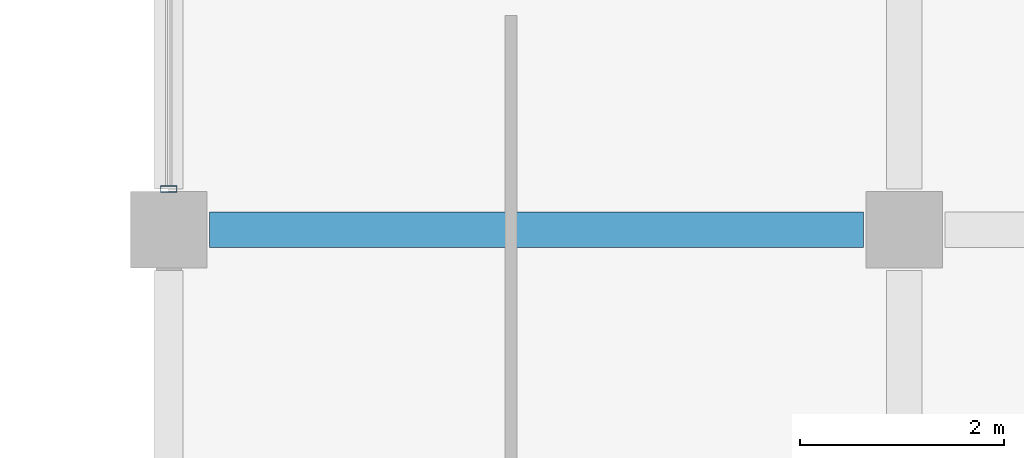
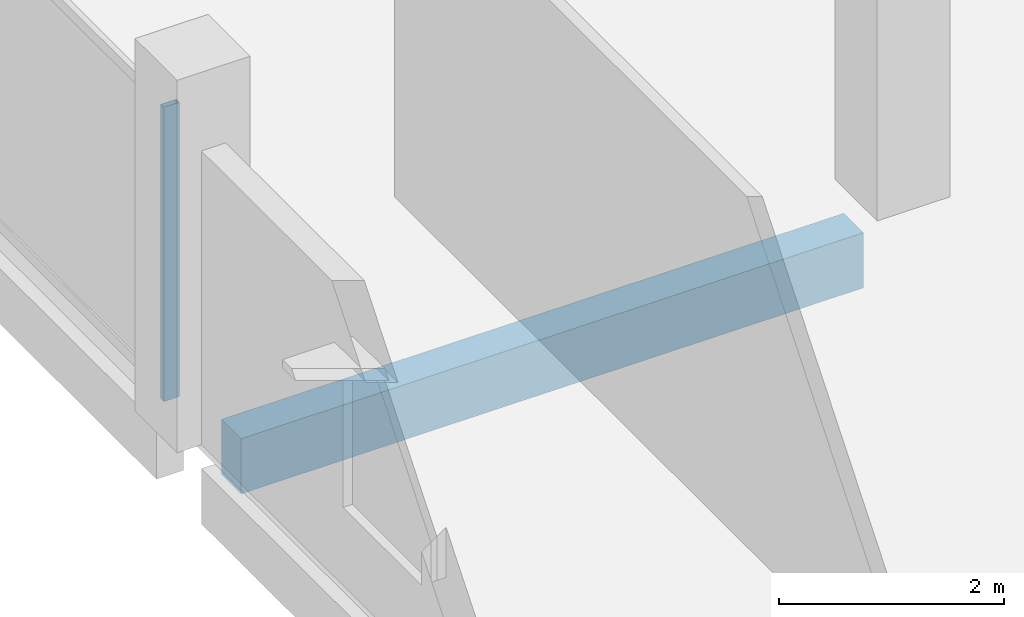
# One storey, part 53 of 108: 1 beam, 1 member, 1 element without a shape of its own.
"""IFC4 building model written with IfcOpenShell, lengths in metres."""

from ifc_helpers import new_model, si_unit, direction, frame, origin, origin_2d, place, context, subcontext, project, spatial, rectangle, hollow_rectangle, extrude, material, layer, layer_set, material_profile, profile_set, type_object, element, aggregate, save


model = new_model("IFC4")

# Units and contexts
model_context = context("Model", 3, precision=1e-05, world=origin(), true_north=direction((0.0, 1.0)))
body_context = subcontext(model_context, "Body", "Model", "MODEL_VIEW")
ifc_project = project(units=[si_unit("LENGTHUNIT", "METRE"), si_unit("AREAUNIT", "SQUARE_METRE"), si_unit("VOLUMEUNIT", "CUBIC_METRE"), si_unit("PLANEANGLEUNIT", "RADIAN"), si_unit("MASSUNIT", "GRAM", prefix="KILO")], contexts=[model_context])

# Site, building, storey
site_placement = place(None, origin())
site = spatial("IfcSite", under=ifc_project, at=site_placement, CompositionType="ELEMENT")
building_placement = place(site_placement, origin())
building = spatial("IfcBuilding", under=site, at=building_placement, Name="Kangsadwip Square Police Headquarters", CompositionType="ELEMENT")
storey_placement = place(building_placement, frame((0.0, 0.0, 9.449951171875)))
storey = spatial("IfcBuildingStorey", under=building, at=storey_placement, Name="L02", CompositionType="ELEMENT", Elevation=9.449951171875)

# Curtain wall, member
ifc_material_1 = material(Name="Thermally broken anodised aluminium AW-6063-T6", Category="aluminium")
ifc_layer = layer(ifc_material_1, 0.159912109375)
ifc_layer_set = layer_set([ifc_layer], Name="Thermally broken anodised aluminium AW-6063-T6")
curtain_wall_type = type_object("IfcCurtainWallType", Name="CourtScreen6460x3200", PredefinedType="USERDEFINED", material=ifc_layer_set)
curtain_wall_placement = place(storey_placement, origin())
curtain_wall = element("IfcCurtainWall", 1, at=curtain_wall_placement, inside=storey, type_object=curtain_wall_type, Name="Curtain Wall CW-L02-1440-0868", ObjectType="GLAZED_SCREEN", PredefinedType="USERDEFINED")
ifc_material_2 = material(Name="Thermally broken anodised aluminium AW-6063-T6", Category="aluminium")
ifc_material_profile_1 = material_profile(ifc_material_2, hollow_rectangle(XDim=0.06005859375, YDim=0.159912109375, WallThickness=0.00390625, at=origin_2d()), Name="CWM 160X60X4")
ifc_profile_set_1 = profile_set([ifc_material_profile_1], Name="Thermally broken anodised aluminium AW-6063-T6")
member_type = type_object("IfcMemberType", Name="CwMullion135x60", PredefinedType="MULLION", material=ifc_profile_set_1)
member_placement = place(storey_placement, frame((144.0, 86.800048828125, 0.0), z_axis=(0.0, 0.0, 1.0), x_axis=(0.0, 1.0, 0.0)))
member = element("IfcMember", 2, at=member_placement, type_object=member_type, Name="CW-16 mullion 1", PredefinedType="MULLION", context=body_context, shape_type="SweptSolid", body=[
    extrude(hollow_rectangle(XDim=0.06005859375, YDim=0.159912109375, WallThickness=0.00390625, at=origin_2d()), origin(), (0.0, 0.0, 1.0), 3.199951171875),
])
aggregate(curtain_wall, [member])

# Beam
ifc_material_3 = material(Name="Concrete M35 (35 MPa)", Category="concrete")
ifc_material_profile_2 = material_profile(ifc_material_3, rectangle(XDim=0.35009765625, YDim=0.60009765625, at=origin_2d()), Name="RC BM 600X350")
ifc_profile_set_2 = profile_set([ifc_material_profile_2], Name="Concrete M35 (35 MPa)")
beam_type = type_object("IfcBeamType", Name="RcBeam600x350", PredefinedType="BEAM", material=ifc_profile_set_2)
beam_placement = place(storey_placement, frame((144.39990234375, 86.39990234375, -0.5400390625), z_axis=(1.0, 0.0, 0.0), x_axis=(0.0, 1.0, 0.0)))
element("IfcBeam", 3, at=beam_placement, inside=storey, type_object=beam_type, Name="Beam BM-L02-X-20-12", PredefinedType="BEAM", context=body_context, shape_type="SweptSolid", body=[
    extrude(rectangle(XDim=0.35009765625, YDim=0.60009765625, at=origin_2d()), origin(), (0.0, 0.0, 1.0), 6.400146484375),
])

save(model, "model.ifc")
